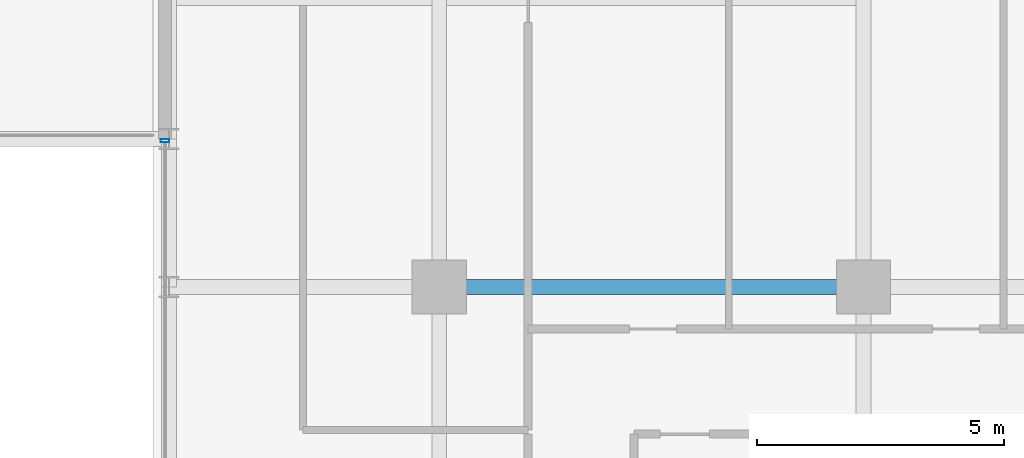
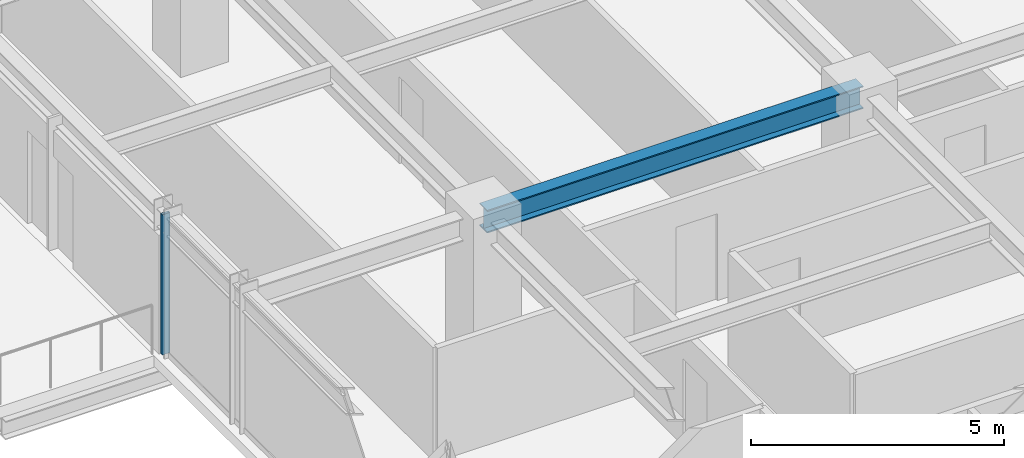
# One storey, part 8 of 32: 1 beam, 1 member, 1 element without a shape of its own.
"""IFC4 building model written with IfcOpenShell, lengths in metres."""

from ifc_helpers import new_model, si_unit, direction, frame, origin, origin_2d, place, context, subcontext, project, spatial, hollow_rectangle, i_section, extrude, source, transform, mapped, material, material_profile, profile_set, type_object, element, aggregate, save


model = new_model("IFC4")

# Units and contexts
model_context = context("Model", 3, precision=1e-05, world=origin(), true_north=direction((0.0, 1.0)))
body_context = subcontext(model_context, "Body", "Model", "MODEL_VIEW")
ifc_project = project(units=[si_unit("LENGTHUNIT", "METRE"), si_unit("AREAUNIT", "SQUARE_METRE"), si_unit("VOLUMEUNIT", "CUBIC_METRE"), si_unit("PLANEANGLEUNIT", "RADIAN"), si_unit("MASSUNIT", "GRAM", prefix="KILO")], contexts=[model_context])

# Site, building, storey
site_placement = place(None, origin())
site = spatial("IfcSite", under=ifc_project, at=site_placement, CompositionType="ELEMENT")
building_placement = place(site_placement, origin())
building = spatial("IfcBuilding", under=site, at=building_placement, Name="Nahalor Promenade Grand Hotel", CompositionType="ELEMENT")
storey_placement = place(building_placement, frame((0.0, 0.0, 152.64990234375)))
storey = spatial("IfcBuildingStorey", under=building, at=storey_placement, Name="L38", CompositionType="ELEMENT", Elevation=152.64990234375)

# Beam
ifc_material_1 = material(Name="Steel S355JR", Category="steel")
ifc_material_profile_1 = material_profile(ifc_material_1, i_section(OverallWidth=0.3, OverallDepth=0.55, WebThickness=0.015, FlangeThickness=0.029, at=origin_2d()), Name="HEB 550")
ifc_profile_set_1 = profile_set([ifc_material_profile_1], Name="Steel S355JR")
beam_type = type_object("IfcBeamType", Name="Beam-Girder-HEB550", PredefinedType="BEAM", material=ifc_profile_set_1)
shared_shape_1 = source(origin(), body_context, "Body", "SweptSolid", [
    extrude(i_section(OverallWidth=0.3, OverallDepth=0.55, WebThickness=0.015, FlangeThickness=0.029, at=origin_2d()), origin(), (0.0, 0.0, 1.0), 8.60009765625),
])
beam_placement = place(storey_placement, frame((-17.0, 5.39990234375, 3.114990234375), z_axis=(1.0, 0.0, 0.0), x_axis=(0.0, 1.0, 0.0)))
element("IfcBeam", 1, at=beam_placement, inside=storey, type_object=beam_type, Name="BM-L38-GX-2-1", PredefinedType="BEAM", context=body_context, shape_type="MappedRepresentation", body=[
    mapped(shared_shape_1, transform((0.0, 0.0, 0.0), scale=1.0)),
])

# Curtain wall, member
ifc_material_2 = material(Name="Anodised Bronze Aluminium EN AW-6063 T6", Category="aluminium")
curtain_wall_type = type_object("IfcCurtainWallType", Name="CW2 Typical Hotel Flush Bronze Unitised Curtain Wall", PredefinedType="USERDEFINED", material=ifc_material_2)
curtain_wall_placement = place(storey_placement, origin())
curtain_wall = element("IfcCurtainWall", 2, at=curtain_wall_placement, inside=storey, type_object=curtain_wall_type, Name="L38 Curtain Wall CW-L38-W-1", ObjectType="UNITISED_CURTAIN_WALL", PredefinedType="USERDEFINED")
ifc_material_profile_2 = material_profile(ifc_material_2, hollow_rectangle(XDim=0.065, YDim=0.18, WallThickness=0.004, at=origin_2d()), Name="CWM 65x180x4")
ifc_profile_set_2 = profile_set([ifc_material_profile_2], Name="Anodised Bronze Aluminium EN AW-6063 T6")
member_type = type_object("IfcMemberType", Name="CWM2 Typical Bronze Mullion 65x180", PredefinedType="MULLION", material=ifc_profile_set_2)
shared_shape_2 = source(origin(), body_context, "Body", "SweptSolid", [
    extrude(hollow_rectangle(XDim=0.065, YDim=0.18, WallThickness=0.004, at=origin_2d()), origin(), (0.0, 0.0, 1.0), 3.39013671875),
])
member_placement = place(storey_placement, frame((-22.56005859375, 8.367431640625, 0.0), z_axis=(0.0, 0.0, 1.0), x_axis=(0.0, 1.0, 0.0)))
member = element("IfcMember", 3, at=member_placement, type_object=member_type, Name="CW-L38-W-1 Mullion 2", PredefinedType="MULLION", context=body_context, shape_type="MappedRepresentation", body=[
    mapped(shared_shape_2, transform((0.0, 0.0, 0.0), scale=1.0)),
])
aggregate(curtain_wall, [member])

save(model, "model.ifc")
